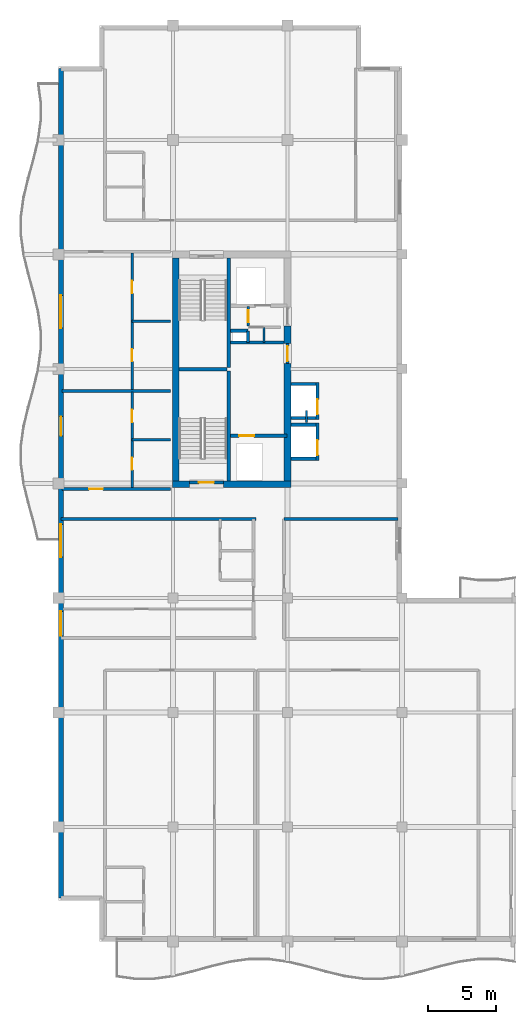
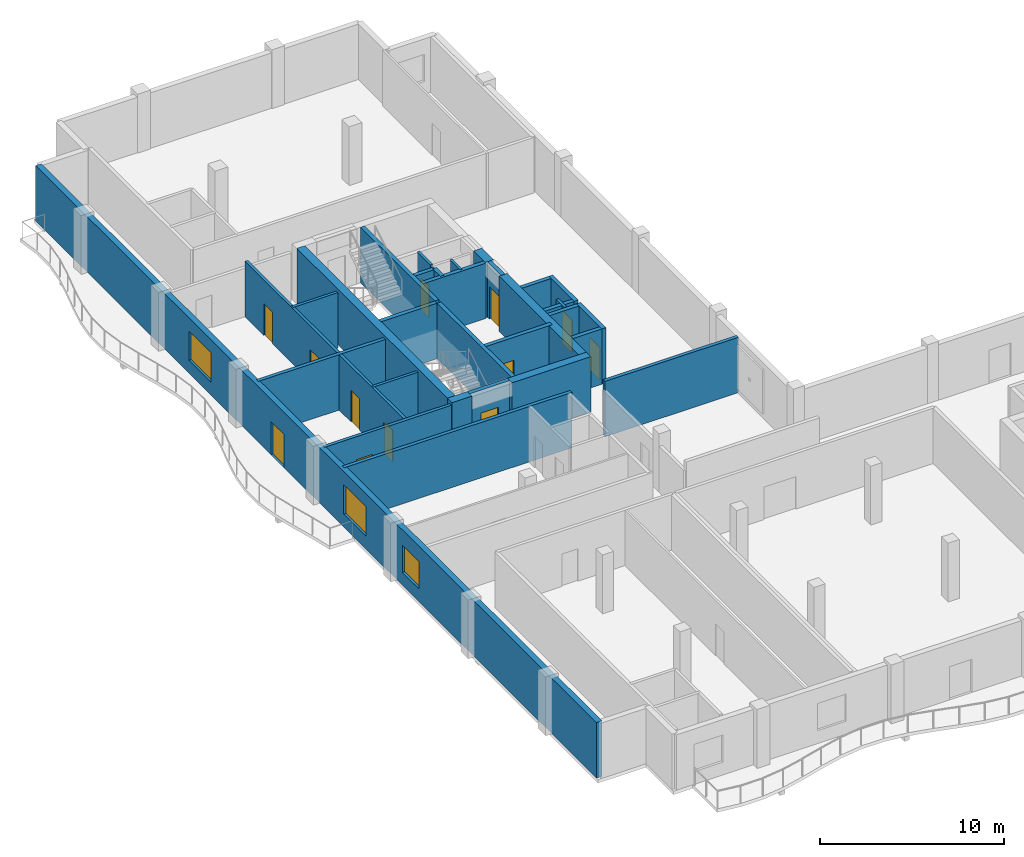
# One storey, part 6 of 11: 32 walls, 12 doors, 3 windows, 15 openings.
"""IFC4 building model written with IfcOpenShell, lengths in metres."""

from ifc_helpers import new_model, si_unit, direction, frame, frame_2d, origin, place, context, subcontext, project, spatial, rectangle, extrude, material, layer, layer_set, type_object, element, fill, save


model = new_model("IFC4")

# Units and contexts
model_context = context("Model", 3, precision=1e-05, world=origin(), true_north=direction((0.0, 1.0)))
body_context = subcontext(model_context, "Body", "Model", "MODEL_VIEW")
ifc_project = project(units=[si_unit("LENGTHUNIT", "METRE"), si_unit("AREAUNIT", "SQUARE_METRE"), si_unit("VOLUMEUNIT", "CUBIC_METRE"), si_unit("PLANEANGLEUNIT", "RADIAN"), si_unit("MASSUNIT", "GRAM", prefix="KILO")], contexts=[model_context])

# Site, building, storey
site_placement = place(None, origin())
site = spatial("IfcSite", under=ifc_project, at=site_placement, CompositionType="ELEMENT")
building_placement = place(site_placement, origin())
building = spatial("IfcBuilding", under=site, at=building_placement, Name="Koriwani Terraces Tower", CompositionType="ELEMENT")
storey_placement = place(building_placement, frame((0.0, 0.0, 335.89990234375)))
storey = spatial("IfcBuildingStorey", under=building, at=storey_placement, Name="L83", CompositionType="ELEMENT", Elevation=335.89990234375)

# Walls
ifc_material_1 = material(Name="Concrete C50/60", Category="concrete")
ifc_layer_1 = layer(ifc_material_1, 0.5, Name="Concrete C50/60")
ifc_layer_set_1 = layer_set([ifc_layer_1], Name="Concrete C50/60")
wall_type_1 = type_object("IfcWallType", Name="WALL_CORE_RC_500", PredefinedType="SHEAR", material=ifc_layer_set_1)
wall_1_placement = place(storey_placement, frame((16.75, 41.949951171875, 0.0), z_axis=(0.0, 0.0, 1.0), x_axis=(1.0, 0.0, 0.0)))
element("IfcWall", 1, at=wall_1_placement, inside=storey, type_object=wall_type_1, Name="L83 West Split Core Shear Wall S1", PredefinedType="SHEAR", context=body_context, shape_type="SweptSolid", body=[
    extrude(rectangle(XDim=1.25, YDim=0.5, at=frame_2d((0.625, 0.0))), origin(), (0.0, 0.0, 1.0), 3.670166015625),
])
wall_2_placement = place(storey_placement, frame((20.5, 41.949951171875, 0.0), z_axis=(0.0, 0.0, 1.0), x_axis=(1.0, 0.0, 0.0)))
element("IfcWall", 2, at=wall_2_placement, inside=storey, type_object=wall_type_1, Name="L83 West Split Core Shear Wall S2", PredefinedType="SHEAR", context=body_context, shape_type="SweptSolid", body=[
    extrude(rectangle(XDim=4.949951171875, YDim=0.5, at=frame_2d((2.47509765625, 0.0))), origin(), (0.0, 0.0, 1.0), 3.670166015625),
])
wall_3_placement = place(storey_placement, frame((17.0, 42.199951171875, 0.0), z_axis=(0.0, 0.0, 1.0), x_axis=(0.0, 1.0, 0.0)))
element("IfcWall", 3, at=wall_3_placement, inside=storey, type_object=wall_type_1, Name="L83 West Split Core Shear Wall W1", PredefinedType="SHEAR", context=body_context, shape_type="SweptSolid", body=[
    extrude(rectangle(XDim=16.35009765625, YDim=0.5, at=frame_2d((8.175048828125, 0.0))), origin(), (0.0, 0.0, 1.0), 3.670166015625),
])
wall_4_placement = place(storey_placement, frame((25.199951171875, 42.199951171875, 0.0), z_axis=(0.0, 0.0, 1.0), x_axis=(0.0, 1.0, 0.0)))
element("IfcWall", 4, at=wall_4_placement, inside=storey, type_object=wall_type_1, Name="L83 West Split Core Shear Wall E1", PredefinedType="SHEAR", context=body_context, shape_type="SweptSolid", body=[
    extrude(rectangle(XDim=8.60009765625, YDim=0.5, at=frame_2d((4.300048828125, 0.0))), origin(), (0.0, 0.0, 1.0), 3.670166015625),
])
wall_5_placement = place(storey_placement, frame((25.199951171875, 52.280029296875, 0.0), z_axis=(0.0, 0.0, 1.0), x_axis=(0.0, 1.0, 0.0)))
element("IfcWall", 5, at=wall_5_placement, inside=storey, type_object=wall_type_1, Name="L83 West Split Core Shear Wall E2", PredefinedType="SHEAR", context=body_context, shape_type="SweptSolid", body=[
    extrude(rectangle(XDim=1.27001953125, YDim=0.5, at=frame_2d((0.635009765625, 0.0))), origin(), (0.0, 0.0, 1.0), 3.670166015625),
])

# Wall, opening, door
ifc_material_2 = material(Name="Autoclaved Cellular Concrete Blockwork", Category="masonry")
ifc_layer_2 = layer(ifc_material_2, 0.199951171875, Name="Autoclaved Cellular Concrete Blockwork")
ifc_layer_set_2 = layer_set([ifc_layer_2], Name="Autoclaved Cellular Concrete Blockwork")
wall_type_2 = type_object("IfcWallType", Name="WALL_CORRIDOR_200", PredefinedType="PARTITIONING", material=ifc_layer_set_2)
wall_6_placement = place(storey_placement, frame((8.64990234375, 41.60009765625, 0.0), z_axis=(0.0, 0.0, 1.0), x_axis=(1.0, 0.0, 0.0)))
wall_6 = element("IfcWall", 6, at=wall_6_placement, inside=storey, type_object=wall_type_2, Name="L83 Interior Wall WRZ4-WS-L83", PredefinedType="PARTITIONING", context=body_context, shape_type="SweptSolid", body=[
    extrude(rectangle(XDim=7.9501953125, YDim=0.199951171875, at=frame_2d((3.97509765625, 0.0))), origin(), (0.0, 0.0, 1.0), 3.670166015625),
])
opening_1_placement = place(wall_6_placement, frame((2.0, 0.0, 0.0)))
opening_1 = element("IfcOpeningElement", 7, at=opening_1_placement, cuts=wall_6, Name="Opening D-05", PredefinedType="OPENING", context=body_context, shape_type="SweptSolid", body=[
    extrude(rectangle(XDim=1.0, YDim=2.14990234375, at=frame_2d((0.5, 1.074951171875))), frame((0.0, 0.10986328125, 0.0), z_axis=(0.0, -1.0, 0.0), x_axis=(1.0, 0.0, 0.0)), (0.0, 0.0, 1.0), 0.219970703125),
])
ifc_material_3 = material(Name="Architectural Oak Fire Door", Category="wood")
door_type_1 = type_object("IfcDoorType", Name="DOOR_SUITE_ENTRY_1000X2150", OperationType="NOTDEFINED", PredefinedType="DOOR", material=ifc_material_3)
door_1_placement = place(opening_1_placement, origin())
door_1 = element("IfcDoor", 8, at=door_1_placement, inside=storey, type_object=door_type_1, Name="Apartment 83RW1 Entrance Door", OperationType="SINGLE_SWING_RIGHT", OverallHeight=2.14990234375, OverallWidth=1.0, PredefinedType="DOOR", context=body_context, shape_type="SweptSolid", body=[
    extrude(rectangle(XDim=1.0, YDim=2.14990234375, at=frame_2d((0.5, 1.074951171875))), frame((0.0, 0.02490234375, 0.0), z_axis=(0.0, -1.0, 0.0), x_axis=(1.0, 0.0, 0.0)), (0.0, 0.0, 1.0), 0.050048828125),
])
fill(opening_1, door_1)

# Walls
ifc_layer_3 = layer(ifc_material_2, 0.219970703125, Name="Autoclaved Cellular Concrete Blockwork")
ifc_layer_set_3 = layer_set([ifc_layer_3], Name="Autoclaved Cellular Concrete Blockwork")
wall_type_3 = type_object("IfcWallType", Name="WALL_DEMISING_220", PredefinedType="PARTITIONING", material=ifc_layer_set_3)
wall_7_placement = place(storey_placement, frame((24.949951171875, 39.39990234375, 0.0), z_axis=(0.0, 0.0, 1.0), x_axis=(1.0, 0.0, 0.0)))
element("IfcWall", 9, at=wall_7_placement, inside=storey, type_object=wall_type_3, Name="L83 Interior Wall WIC4WN-L83", PredefinedType="PARTITIONING", context=body_context, shape_type="SweptSolid", body=[
    extrude(rectangle(XDim=8.35009765625, YDim=0.219970703125, at=frame_2d((4.175048828125, 0.0))), origin(), (0.0, 0.0, 1.0), 3.670166015625),
])
wall_8_placement = place(storey_placement, frame((8.64990234375, 48.800048828125, 0.0), z_axis=(0.0, 0.0, 1.0), x_axis=(1.0, 0.0, 0.0)))
element("IfcWall", 10, at=wall_8_placement, inside=storey, type_object=wall_type_3, Name="L83 Interior Wall WRZ4-WM-L83", PredefinedType="PARTITIONING", context=body_context, shape_type="SweptSolid", body=[
    extrude(rectangle(XDim=7.9501953125, YDim=0.219970703125, at=frame_2d((3.97509765625, 0.0))), origin(), (0.0, 0.0, 1.0), 3.670166015625),
])
wall_9_placement = place(storey_placement, frame((8.60009765625, 39.39990234375, 0.0), z_axis=(0.0, 0.0, 1.0), x_axis=(1.0, 0.0, 0.0)))
element("IfcWall", 11, at=wall_9_placement, inside=storey, type_object=wall_type_3, Name="L83 Interior Wall WRDEME-L83-NE", PredefinedType="PARTITIONING", context=body_context, shape_type="SweptSolid", body=[
    extrude(rectangle(XDim=14.27978515625, YDim=0.219970703125, at=frame_2d((7.139892578125, 0.0))), origin(), (0.0, 0.0, 1.0), 3.670166015625),
])

# Wall, openings, door, windows
ifc_layer_4 = layer(ifc_material_1, 0.35009765625, Name="Concrete C50/60")
ifc_layer_set_4 = layer_set([ifc_layer_4], Name="Concrete C50/60")
wall_type_4 = type_object("IfcWallType", Name="WALL_EXT_BRUTALIST_350", PredefinedType="STANDARD", material=ifc_layer_set_4)
wall_10_placement = place(storey_placement, frame((8.574951171875, 11.574951171875, 0.0), z_axis=(0.0, 0.0, 1.0), x_axis=(0.0, 1.0, 0.0)))
wall_10 = element("IfcWall", 12, at=wall_10_placement, inside=storey, type_object=wall_type_4, Name="L83 Fair-Faced Brutalist Exterior Wall (W)", PredefinedType="STANDARD", context=body_context, shape_type="SweptSolid", body=[
    extrude(rectangle(XDim=60.85009765625, YDim=0.35009765625, at=frame_2d((30.425048828125, 0.0))), origin(), (0.0, 0.0, 1.0), 3.670166015625),
])
opening_2_placement = place(wall_10_placement, frame((33.925048828125, 0.0, 0.0)))
opening_2 = element("IfcOpeningElement", 13, at=opening_2_placement, cuts=wall_10, Name="Opening D-09", PredefinedType="OPENING", context=body_context, shape_type="SweptSolid", body=[
    extrude(rectangle(XDim=1.39990234375, YDim=2.199951171875, at=frame_2d((0.699951171875, 1.10009765625))), frame((0.0, 0.18505859375, 0.0), z_axis=(0.0, -1.0, 0.0), x_axis=(1.0, 0.0, 0.0)), (0.0, 0.0, 1.0), 0.3701171875),
])
opening_3_placement = place(wall_10_placement, frame((25.02490234375, 0.0, 0.85009765625)))
opening_3 = element("IfcOpeningElement", 14, at=opening_3_placement, cuts=wall_10, Name="Opening W-03", PredefinedType="OPENING", context=body_context, shape_type="SweptSolid", body=[
    extrude(rectangle(XDim=2.39990234375, YDim=1.949951171875, at=frame_2d((1.199951171875, 0.97509765625))), frame((0.0, 0.18505859375, 0.0), z_axis=(0.0, -1.0, 0.0), x_axis=(1.0, 0.0, 0.0)), (0.0, 0.0, 1.0), 0.3701171875),
])
opening_4_placement = place(wall_10_placement, frame((41.824951171875, 0.0, 0.85009765625)))
opening_4 = element("IfcOpeningElement", 15, at=opening_4_placement, cuts=wall_10, Name="Opening W-03", PredefinedType="OPENING", context=body_context, shape_type="SweptSolid", body=[
    extrude(rectangle(XDim=2.39990234375, YDim=1.949951171875, at=frame_2d((1.199951171875, 0.97509765625))), frame((0.0, 0.18505859375, 0.0), z_axis=(0.0, -1.0, 0.0), x_axis=(1.0, 0.0, 0.0)), (0.0, 0.0, 1.0), 0.3701171875),
])
opening_5_placement = place(wall_10_placement, frame((19.25, 0.0, 0.85009765625)))
opening_5 = element("IfcOpeningElement", 16, at=opening_5_placement, cuts=wall_10, Name="Opening W-04", PredefinedType="OPENING", context=body_context, shape_type="SweptSolid", body=[
    extrude(rectangle(XDim=1.800048828125, YDim=1.800048828125, at=frame_2d((0.89990234375, 0.89990234375))), frame((0.0, 0.18505859375, 0.0), z_axis=(0.0, -1.0, 0.0), x_axis=(1.0, 0.0, 0.0)), (0.0, 0.0, 1.0), 0.3701171875),
])
ifc_material_4 = material(Name="Anodised Bronze Aluminium", Category="aluminium")
door_type_2 = type_object("IfcDoorType", Name="DOOR_BALCONY_GLAZED_1400X2200", OperationType="NOTDEFINED", PredefinedType="DOOR", material=ifc_material_4)
door_2_placement = place(opening_2_placement, origin())
door_2 = element("IfcDoor", 17, at=door_2_placement, inside=storey, type_object=door_type_2, Name="L83 West Balcony Glazed Door", OperationType="SINGLE_SWING_LEFT", OverallHeight=2.199951171875, OverallWidth=1.39990234375, PredefinedType="DOOR", context=body_context, shape_type="SweptSolid", body=[
    extrude(rectangle(XDim=1.39990234375, YDim=2.199951171875, at=frame_2d((0.699951171875, 1.10009765625))), frame((0.0, 0.02490234375, 0.0), z_axis=(0.0, -1.0, 0.0), x_axis=(1.0, 0.0, 0.0)), (0.0, 0.0, 1.0), 0.050048828125),
])
fill(opening_2, door_2)
ifc_material_5 = material(Name="Tempered Laminated Low-E Glass", Category="glass")
window_type_1 = type_object("IfcWindowType", Name="WIN_RES_BED_1800X1800", PartitioningType="DOUBLE_PANEL_VERTICAL", PredefinedType="WINDOW", material=ifc_material_5)
window_1_placement = place(opening_5_placement, origin())
window_1 = element("IfcWindow", 18, at=window_1_placement, inside=storey, type_object=window_type_1, Name="L83 Exterior Window (W-R38)", OverallHeight=1.800048828125, OverallWidth=1.800048828125, PartitioningType="SINGLE_PANEL", PredefinedType="WINDOW", context=body_context, shape_type="SweptSolid", body=[
    extrude(rectangle(XDim=1.800048828125, YDim=1.800048828125, at=frame_2d((0.89990234375, 0.89990234375))), frame((0.0, 0.030029296875, 0.0), z_axis=(0.0, -1.0, 0.0), x_axis=(1.0, 0.0, 0.0)), (0.0, 0.0, 1.0), 0.06005859375),
])
fill(opening_5, window_1)
window_type_2 = type_object("IfcWindowType", Name="WIN_RES_LIVING_2400X1950", PartitioningType="DOUBLE_PANEL_VERTICAL", PredefinedType="WINDOW", material=ifc_material_5)
window_2_placement = place(opening_3_placement, origin())
window_2 = element("IfcWindow", 19, at=window_2_placement, inside=storey, type_object=window_type_2, Name="L83 Exterior Window (W-9)", OverallHeight=1.949951171875, OverallWidth=2.39990234375, PartitioningType="SINGLE_PANEL", PredefinedType="WINDOW", context=body_context, shape_type="SweptSolid", body=[
    extrude(rectangle(XDim=2.39990234375, YDim=1.949951171875, at=frame_2d((1.199951171875, 0.97509765625))), frame((0.0, 0.030029296875, 0.0), z_axis=(0.0, -1.0, 0.0), x_axis=(1.0, 0.0, 0.0)), (0.0, 0.0, 1.0), 0.06005859375),
])
fill(opening_3, window_2)
window_3_placement = place(opening_4_placement, origin())
window_3 = element("IfcWindow", 20, at=window_3_placement, inside=storey, type_object=window_type_2, Name="L83 Exterior Window (W-15)", OverallHeight=1.949951171875, OverallWidth=2.39990234375, PartitioningType="SINGLE_PANEL", PredefinedType="WINDOW", context=body_context, shape_type="SweptSolid", body=[
    extrude(rectangle(XDim=2.39990234375, YDim=1.949951171875, at=frame_2d((1.199951171875, 0.97509765625))), frame((0.0, 0.030029296875, 0.0), z_axis=(0.0, -1.0, 0.0), x_axis=(1.0, 0.0, 0.0)), (0.0, 0.0, 1.0), 0.06005859375),
])
fill(opening_4, window_3)

# Wall, openings, doors
ifc_material_6 = material(Name="Fire-Rated Acoustic Gypsum Partition", Category="masonry")
ifc_layer_5 = layer(ifc_material_6, 0.179931640625, Name="Fire-Rated Acoustic Gypsum Partition")
ifc_layer_set_5 = layer_set([ifc_layer_5], Name="Fire-Rated Acoustic Gypsum Partition")
wall_type_5 = type_object("IfcWallType", Name="WALL_PLUMBING_180", PredefinedType="PLUMBINGWALL", material=ifc_layer_set_5)
wall_11_placement = place(storey_placement, frame((13.800048828125, 41.699951171875, 0.0), z_axis=(0.0, 0.0, 1.0), x_axis=(0.0, 1.0, 0.0)))
wall_11 = element("IfcWall", 21, at=wall_11_placement, inside=storey, type_object=wall_type_5, Name="L83 Interior Wall WRZ4-RW1-PB-L83", PredefinedType="PLUMBINGWALL", context=body_context, shape_type="SweptSolid", body=[
    extrude(rectangle(XDim=7.0, YDim=0.179931640625, at=frame_2d((3.5, 0.0))), origin(), (0.0, 0.0, 1.0), 3.670166015625),
])
opening_6_placement = place(wall_11_placement, frame((1.300048828125, 0.0, 0.0)))
opening_6 = element("IfcOpeningElement", 22, at=opening_6_placement, cuts=wall_11, Name="Opening D-07", PredefinedType="OPENING", context=body_context, shape_type="SweptSolid", body=[
    extrude(rectangle(XDim=0.89990234375, YDim=2.10009765625, at=frame_2d((0.449951171875, 1.050048828125))), frame((0.0, 0.10009765625, 0.0), z_axis=(0.0, -1.0, 0.0), x_axis=(1.0, 0.0, 0.0)), (0.0, 0.0, 1.0), 0.199951171875),
])
opening_7_placement = place(wall_11_placement, frame((4.7900390625, 0.0, 0.0)))
opening_7 = element("IfcOpeningElement", 23, at=opening_7_placement, cuts=wall_11, Name="Opening D-06", PredefinedType="OPENING", context=body_context, shape_type="SweptSolid", body=[
    extrude(rectangle(XDim=0.919921875, YDim=2.10009765625, at=frame_2d((0.4599609375, 1.050048828125))), frame((0.0, 0.10009765625, 0.0), z_axis=(0.0, -1.0, 0.0), x_axis=(1.0, 0.0, 0.0)), (0.0, 0.0, 1.0), 0.199951171875),
])
door_type_3 = type_object("IfcDoorType", Name="DOOR_BATH_INT_900X2100", OperationType="NOTDEFINED", PredefinedType="DOOR", material=ifc_material_3)
door_3_placement = place(opening_6_placement, origin())
door_3 = element("IfcDoor", 24, at=door_3_placement, inside=storey, type_object=door_type_3, Name="Apartment 83RW1 Bathroom Door", OperationType="SINGLE_SWING_RIGHT", OverallHeight=2.10009765625, OverallWidth=0.89990234375, PredefinedType="DOOR", context=body_context, shape_type="SweptSolid", body=[
    extrude(rectangle(XDim=0.89990234375, YDim=2.10009765625, at=frame_2d((0.449951171875, 1.050048828125))), frame((0.0, 0.02490234375, 0.0), z_axis=(0.0, -1.0, 0.0), x_axis=(1.0, 0.0, 0.0)), (0.0, 0.0, 1.0), 0.050048828125),
])
fill(opening_6, door_3)
door_type_4 = type_object("IfcDoorType", Name="DOOR_ROOM_INT_920X2100", OperationType="NOTDEFINED", PredefinedType="DOOR", material=ifc_material_3)
door_4_placement = place(opening_7_placement, origin())
door_4 = element("IfcDoor", 25, at=door_4_placement, inside=storey, type_object=door_type_4, Name="Apartment 83RW1 Kitchen Door", OperationType="SINGLE_SWING_LEFT", OverallHeight=2.10009765625, OverallWidth=0.919921875, PredefinedType="DOOR", context=body_context, shape_type="SweptSolid", body=[
    extrude(rectangle(XDim=0.919921875, YDim=2.10009765625, at=frame_2d((0.4599609375, 1.050048828125))), frame((0.0, 0.02490234375, 0.0), z_axis=(0.0, -1.0, 0.0), x_axis=(1.0, 0.0, 0.0)), (0.0, 0.0, 1.0), 0.050048828125),
])
fill(opening_7, door_4)

# Wall
wall_12_placement = place(storey_placement, frame((13.800048828125, 45.199951171875, 0.0), z_axis=(0.0, 0.0, 1.0), x_axis=(1.0, 0.0, 0.0)))
element("IfcWall", 26, at=wall_12_placement, inside=storey, type_object=wall_type_5, Name="L83 Interior Wall WRZ4-RW1-P2-L83", PredefinedType="PLUMBINGWALL", context=body_context, shape_type="SweptSolid", body=[
    extrude(rectangle(XDim=2.800048828125, YDim=0.179931640625, at=frame_2d((1.39990234375, 0.0))), origin(), (0.0, 0.0, 1.0), 3.670166015625),
])

# Wall, openings, doors
wall_13_placement = place(storey_placement, frame((13.800048828125, 48.89990234375, 0.0), z_axis=(0.0, 0.0, 1.0), x_axis=(0.0, 1.0, 0.0)))
wall_13 = element("IfcWall", 27, at=wall_13_placement, inside=storey, type_object=wall_type_5, Name="L83 Interior Wall WRZ4-RW2-PB-L83", PredefinedType="PLUMBINGWALL", context=body_context, shape_type="SweptSolid", body=[
    extrude(rectangle(XDim=10.0, YDim=0.179931640625, at=frame_2d((5.0, 0.0))), origin(), (0.0, 0.0, 1.0), 3.670166015625),
])
opening_8_placement = place(wall_13_placement, frame((2.050048828125, 0.0, 0.0)))
opening_8 = element("IfcOpeningElement", 28, at=opening_8_placement, cuts=wall_13, Name="Opening D-07", PredefinedType="OPENING", context=body_context, shape_type="SweptSolid", body=[
    extrude(rectangle(XDim=0.89990234375, YDim=2.10009765625, at=frame_2d((0.449951171875, 1.050048828125))), frame((0.0, 0.10009765625, 0.0), z_axis=(0.0, -1.0, 0.0), x_axis=(1.0, 0.0, 0.0)), (0.0, 0.0, 1.0), 0.199951171875),
])
opening_9_placement = place(wall_13_placement, frame((7.0400390625, 0.0, 0.0)))
opening_9 = element("IfcOpeningElement", 29, at=opening_9_placement, cuts=wall_13, Name="Opening D-06", PredefinedType="OPENING", context=body_context, shape_type="SweptSolid", body=[
    extrude(rectangle(XDim=0.919921875, YDim=2.10009765625, at=frame_2d((0.4599609375, 1.050048828125))), frame((0.0, 0.10009765625, 0.0), z_axis=(0.0, -1.0, 0.0), x_axis=(1.0, 0.0, 0.0)), (0.0, 0.0, 1.0), 0.199951171875),
])
door_5_placement = place(opening_8_placement, origin())
door_5 = element("IfcDoor", 30, at=door_5_placement, inside=storey, type_object=door_type_3, Name="Apartment 83RW2 Bathroom Door", OperationType="SINGLE_SWING_RIGHT", OverallHeight=2.10009765625, OverallWidth=0.89990234375, PredefinedType="DOOR", context=body_context, shape_type="SweptSolid", body=[
    extrude(rectangle(XDim=0.89990234375, YDim=2.10009765625, at=frame_2d((0.449951171875, 1.050048828125))), frame((0.0, 0.02490234375, 0.0), z_axis=(0.0, -1.0, 0.0), x_axis=(1.0, 0.0, 0.0)), (0.0, 0.0, 1.0), 0.050048828125),
])
fill(opening_8, door_5)
door_6_placement = place(opening_9_placement, origin())
door_6 = element("IfcDoor", 31, at=door_6_placement, inside=storey, type_object=door_type_4, Name="Apartment 83RW2 Kitchen Door", OperationType="SINGLE_SWING_LEFT", OverallHeight=2.10009765625, OverallWidth=0.919921875, PredefinedType="DOOR", context=body_context, shape_type="SweptSolid", body=[
    extrude(rectangle(XDim=0.919921875, YDim=2.10009765625, at=frame_2d((0.4599609375, 1.050048828125))), frame((0.0, 0.02490234375, 0.0), z_axis=(0.0, -1.0, 0.0), x_axis=(1.0, 0.0, 0.0)), (0.0, 0.0, 1.0), 0.050048828125),
])
fill(opening_9, door_6)

# Walls
wall_14_placement = place(storey_placement, frame((13.800048828125, 53.89990234375, 0.0), z_axis=(0.0, 0.0, 1.0), x_axis=(1.0, 0.0, 0.0)))
element("IfcWall", 32, at=wall_14_placement, inside=storey, type_object=wall_type_5, Name="L83 Interior Wall WRZ4-RW2-P2-L83", PredefinedType="PLUMBINGWALL", context=body_context, shape_type="SweptSolid", body=[
    extrude(rectangle(XDim=2.800048828125, YDim=0.179931640625, at=frame_2d((1.39990234375, 0.0))), origin(), (0.0, 0.0, 1.0), 3.670166015625),
])
ifc_material_7 = material(Name="Concrete C40/50", Category="concrete")
ifc_layer_6 = layer(ifc_material_7, 0.25, Name="Concrete C40/50")
ifc_layer_set_6 = layer_set([ifc_layer_6], Name="Concrete C40/50")
wall_type_6 = type_object("IfcWallType", Name="WALL_SHAFT_RATED_250", PredefinedType="SOLIDWALL", material=ifc_layer_set_6)
for number, where, z_axis, x_axis, name in (
    (33, (20.875, 42.199951171875, 0.0), (0.0, 0.0, 1.0), (0.0, 1.0, 0.0), "L83 West Split Core Web Wall MID1"),
    (34, (20.875, 50.5, 0.0), (0.0, 0.0, 1.0), (0.0, 1.0, 0.0), "L83 West Split Core Web Wall MID2"),
):
    element("IfcWall", number, at=place(storey_placement, frame(where, z_axis=z_axis, x_axis=x_axis)), inside=storey, type_object=wall_type_6, Name=name, PredefinedType="SOLIDWALL", context=body_context, shape_type="SweptSolid", body=[
        extrude(rectangle(XDim=8.050048828125, YDim=0.25, at=frame_2d((4.02490234375, 0.0))), origin(), (0.0, 0.0, 1.0), 3.670166015625),
    ])
wall_15_placement = place(storey_placement, frame((17.25, 50.375, 0.0), z_axis=(0.0, 0.0, 1.0), x_axis=(1.0, 0.0, 0.0)))
element("IfcWall", 35, at=wall_15_placement, inside=storey, type_object=wall_type_6, Name="L83 West Split Core Stair Dividing Wall", PredefinedType="SOLIDWALL", context=body_context, shape_type="SweptSolid", body=[
    extrude(rectangle(XDim=3.5, YDim=0.25, at=frame_2d((1.75, 0.0))), origin(), (0.0, 0.0, 1.0), 3.670166015625),
])

# Wall, opening, door
wall_16_placement = place(storey_placement, frame((18.0, 42.074951171875, 0.0), z_axis=(0.0, 0.0, 1.0), x_axis=(1.0, 0.0, 0.0)))
wall_16 = element("IfcWall", 36, at=wall_16_placement, inside=storey, type_object=wall_type_6, Name="L83 Interior Wall WIN-CW-L83-STS", PredefinedType="SOLIDWALL", context=body_context, shape_type="SweptSolid", body=[
    extrude(rectangle(XDim=2.5, YDim=0.25, at=frame_2d((1.25, 0.0))), origin(), (0.0, 0.0, 1.0), 3.670166015625),
])
opening_10_placement = place(wall_16_placement, frame((0.699951171875, 0.0, 0.0)))
opening_10 = element("IfcOpeningElement", 37, at=opening_10_placement, cuts=wall_16, Name="Opening D-03", PredefinedType="OPENING", context=body_context, shape_type="SweptSolid", body=[
    extrude(rectangle(XDim=1.10009765625, YDim=2.14990234375, at=frame_2d((0.550048828125, 1.074951171875))), frame((0.0, 0.135009765625, 0.0), z_axis=(0.0, -1.0, 0.0), x_axis=(1.0, 0.0, 0.0)), (0.0, 0.0, 1.0), 0.27001953125),
])
ifc_material_8 = material(Name="Steel ASTM A572 Grade 50", Category="steel")
door_type_5 = type_object("IfcDoorType", Name="DOOR_STAIR_FIRE_1100X2150", OperationType="NOTDEFINED", PredefinedType="DOOR", material=ifc_material_8)
door_7_placement = place(opening_10_placement, origin())
door_7 = element("IfcDoor", 38, at=door_7_placement, inside=storey, type_object=door_type_5, Name="L83 Exit Stair ST-W1 Door", OperationType="SINGLE_SWING_LEFT", OverallHeight=2.14990234375, OverallWidth=1.10009765625, PredefinedType="DOOR", context=body_context, shape_type="SweptSolid", body=[
    extrude(rectangle(XDim=1.10009765625, YDim=2.14990234375, at=frame_2d((0.550048828125, 1.074951171875))), frame((0.0, 0.02490234375, 0.0), z_axis=(0.0, -1.0, 0.0), x_axis=(1.0, 0.0, 0.0)), (0.0, 0.0, 1.0), 0.050048828125),
])
fill(opening_10, door_7)

wall_17_placement = place(storey_placement, frame((21.0, 45.5, 0.0), z_axis=(0.0, 0.0, 1.0), x_axis=(1.0, 0.0, 0.0)))
wall_17 = element("IfcWall", 39, at=wall_17_placement, inside=storey, type_object=wall_type_6, Name="L83 Interior Wall WIN-CW-L83-FE", PredefinedType="SOLIDWALL", context=body_context, shape_type="SweptSolid", body=[
    extrude(rectangle(XDim=4.14990234375, YDim=0.25, at=frame_2d((2.074951171875, 0.0))), origin(), (0.0, 0.0, 1.0), 3.670166015625),
])
opening_11_placement = place(wall_17_placement, frame((0.64990234375, 0.0, 0.0)))
opening_11 = element("IfcOpeningElement", 40, at=opening_11_placement, cuts=wall_17, Name="Opening LD-01", PredefinedType="OPENING", context=body_context, shape_type="SweptSolid", body=[
    extrude(rectangle(XDim=1.10009765625, YDim=2.14990234375, at=frame_2d((0.550048828125, 1.074951171875))), frame((0.0, 0.135009765625, 0.0), z_axis=(0.0, -1.0, 0.0), x_axis=(1.0, 0.0, 0.0)), (0.0, 0.0, 1.0), 0.27001953125),
])
door_type_6 = type_object("IfcDoorType", Name="DOOR_LIFT_LANDING_1100X2200", OperationType="NOTDEFINED", PredefinedType="DOOR", material=ifc_material_8)
door_8_placement = place(opening_11_placement, origin())
door_8 = element("IfcDoor", 41, at=door_8_placement, inside=storey, type_object=door_type_6, Name="L83 Firefighting Lift FE-01 Landing Door", OperationType="SLIDING_TO_LEFT", OverallHeight=2.14990234375, OverallWidth=1.10009765625, PredefinedType="DOOR", context=body_context, shape_type="SweptSolid", body=[
    extrude(rectangle(XDim=1.10009765625, YDim=2.14990234375, at=frame_2d((0.550048828125, 1.074951171875))), frame((0.0, 0.02490234375, 0.0), z_axis=(0.0, -1.0, 0.0), x_axis=(1.0, 0.0, 0.0)), (0.0, 0.0, 1.0), 0.050048828125),
])
fill(opening_11, door_8)

wall_18_placement = place(storey_placement, frame((25.199951171875, 50.800048828125, 0.0), z_axis=(0.0, 0.0, 1.0), x_axis=(0.0, 1.0, 0.0)))
wall_18 = element("IfcWall", 42, at=wall_18_placement, inside=storey, type_object=wall_type_6, Name="L83 Interior Wall WIN-CW-L83-EP", PredefinedType="SOLIDWALL", context=body_context, shape_type="SweptSolid", body=[
    extrude(rectangle(XDim=1.47998046875, YDim=0.25, at=frame_2d((0.739990234375, 0.0))), origin(), (0.0, 0.0, 1.0), 3.670166015625),
])
opening_12_placement = place(wall_18_placement, frame((0.179931640625, 0.0, 0.0)))
opening_12 = element("IfcOpeningElement", 43, at=opening_12_placement, cuts=wall_18, Name="Opening D-03", PredefinedType="OPENING", context=body_context, shape_type="SweptSolid", body=[
    extrude(rectangle(XDim=1.10009765625, YDim=2.14990234375, at=frame_2d((0.550048828125, 1.074951171875))), frame((0.0, 0.135009765625, 0.0), z_axis=(0.0, -1.0, 0.0), x_axis=(1.0, 0.0, 0.0)), (0.0, 0.0, 1.0), 0.27001953125),
])
door_9_placement = place(opening_12_placement, origin())
door_9 = element("IfcDoor", 44, at=door_9_placement, inside=storey, type_object=door_type_5, Name="L83 West Firefighting Lobby Door", OperationType="SINGLE_SWING_LEFT", OverallHeight=2.14990234375, OverallWidth=1.10009765625, PredefinedType="DOOR", context=body_context, shape_type="SweptSolid", body=[
    extrude(rectangle(XDim=1.10009765625, YDim=2.14990234375, at=frame_2d((0.550048828125, 1.074951171875))), frame((0.0, 0.02490234375, 0.0), z_axis=(0.0, -1.0, 0.0), x_axis=(1.0, 0.0, 0.0)), (0.0, 0.0, 1.0), 0.050048828125),
])
fill(opening_12, door_9)

# Walls
wall_19_placement = place(storey_placement, frame((21.0, 52.340087890625, 0.0), z_axis=(0.0, 0.0, 1.0), x_axis=(1.0, 0.0, 0.0)))
element("IfcWall", 45, at=wall_19_placement, inside=storey, type_object=wall_type_6, Name="L83 Interior Wall WIN-CW-L83-FFN", PredefinedType="SOLIDWALL", context=body_context, shape_type="SweptSolid", body=[
    extrude(rectangle(XDim=3.949951171875, YDim=0.25, at=frame_2d((1.97509765625, 0.0))), origin(), (0.0, 0.0, 1.0), 3.670166015625),
])
wall_20_placement = place(storey_placement, frame((21.0, 53.199951171875, 0.0), z_axis=(0.0, 0.0, 1.0), x_axis=(1.0, 0.0, 0.0)))
element("IfcWall", 46, at=wall_20_placement, inside=storey, type_object=wall_type_6, Name="L83 Interior Wall WIN-CW-L83-RS1", PredefinedType="SOLIDWALL", context=body_context, shape_type="SweptSolid", body=[
    extrude(rectangle(XDim=1.300048828125, YDim=0.25, at=frame_2d((0.64990234375, 0.0))), origin(), (0.0, 0.0, 1.0), 3.670166015625),
])
wall_21_placement = place(storey_placement, frame((22.300048828125, 52.360107421875, 0.0), z_axis=(0.0, 0.0, 1.0), x_axis=(0.0, 1.0, 0.0)))
element("IfcWall", 47, at=wall_21_placement, inside=storey, type_object=wall_type_6, Name="L83 Interior Wall WIN-CW-L83-RS2", PredefinedType="SOLIDWALL", context=body_context, shape_type="SweptSolid", body=[
    extrude(rectangle(XDim=0.83984375, YDim=0.25, at=frame_2d((0.419921875, 0.0))), origin(), (0.0, 0.0, 1.0), 3.670166015625),
])

# Wall, opening, door
wall_22_placement = place(storey_placement, frame((27.39990234375, 43.675048828125, 0.0), z_axis=(0.0, 0.0, 1.0), x_axis=(0.0, 1.0, 0.0)))
wall_22 = element("IfcWall", 48, at=wall_22_placement, inside=storey, type_object=wall_type_6, Name="L83 Interior Wall WIN-LF-PE-H1-L83-F", PredefinedType="SOLIDWALL", context=body_context, shape_type="SweptSolid", body=[
    extrude(rectangle(XDim=2.75, YDim=0.25, at=frame_2d((1.375, 0.0))), origin(), (0.0, 0.0, 1.0), 3.670166015625),
])
opening_13_placement = place(wall_22_placement, frame((0.39990234375, 0.0, 0.0)))
opening_13 = element("IfcOpeningElement", 49, at=opening_13_placement, cuts=wall_22, Name="Opening LD-01", PredefinedType="OPENING", context=body_context, shape_type="SweptSolid", body=[
    extrude(rectangle(XDim=1.10009765625, YDim=2.14990234375, at=frame_2d((0.550048828125, 1.074951171875))), frame((0.0, 0.135009765625, 0.0), z_axis=(0.0, -1.0, 0.0), x_axis=(1.0, 0.0, 0.0)), (0.0, 0.0, 1.0), 0.27001953125),
])
door_10_placement = place(opening_13_placement, origin())
door_10 = element("IfcDoor", 50, at=door_10_placement, inside=storey, type_object=door_type_6, Name="L83 Passenger Lift PE-H1 Landing Door", OperationType="SLIDING_TO_LEFT", OverallHeight=2.14990234375, OverallWidth=1.10009765625, PredefinedType="DOOR", context=body_context, shape_type="SweptSolid", body=[
    extrude(rectangle(XDim=1.10009765625, YDim=2.14990234375, at=frame_2d((0.550048828125, 1.074951171875))), frame((0.0, 0.02490234375, 0.0), z_axis=(0.0, -1.0, 0.0), x_axis=(1.0, 0.0, 0.0)), (0.0, 0.0, 1.0), 0.050048828125),
])
fill(opening_13, door_10)

# Walls
for number, where, z_axis, x_axis, name in (
    (51, (25.449951171875, 43.800048828125, 0.0), (0.0, 0.0, 1.0), (1.0, 0.0, 0.0), "L83 Interior Wall WIN-LF-PE-H1-L83-S"),
    (52, (25.449951171875, 46.300048828125, 0.0), (0.0, 0.0, 1.0), (1.0, 0.0, 0.0), "L83 Interior Wall WIN-LF-PE-H1-L83-N"),
):
    element("IfcWall", number, at=place(storey_placement, frame(where, z_axis=z_axis, x_axis=x_axis)), inside=storey, type_object=wall_type_6, Name=name, PredefinedType="SOLIDWALL", context=body_context, shape_type="SweptSolid", body=[
        extrude(rectangle(XDim=1.824951171875, YDim=0.25, at=frame_2d((0.91259765625, 0.0))), origin(), (0.0, 0.0, 1.0), 3.670166015625),
    ])

# Wall, opening, door
wall_23_placement = place(storey_placement, frame((27.39990234375, 46.675048828125, 0.0), z_axis=(0.0, 0.0, 1.0), x_axis=(0.0, 1.0, 0.0)))
wall_23 = element("IfcWall", 53, at=wall_23_placement, inside=storey, type_object=wall_type_6, Name="L83 Interior Wall WIN-LF-PE-H2-L83-F", PredefinedType="SOLIDWALL", context=body_context, shape_type="SweptSolid", body=[
    extrude(rectangle(XDim=2.75, YDim=0.25, at=frame_2d((1.375, 0.0))), origin(), (0.0, 0.0, 1.0), 3.670166015625),
])
opening_14_placement = place(wall_23_placement, frame((0.39990234375, 0.0, 0.0)))
opening_14 = element("IfcOpeningElement", 54, at=opening_14_placement, cuts=wall_23, Name="Opening LD-01", PredefinedType="OPENING", context=body_context, shape_type="SweptSolid", body=[
    extrude(rectangle(XDim=1.10009765625, YDim=2.14990234375, at=frame_2d((0.550048828125, 1.074951171875))), frame((0.0, 0.135009765625, 0.0), z_axis=(0.0, -1.0, 0.0), x_axis=(1.0, 0.0, 0.0)), (0.0, 0.0, 1.0), 0.27001953125),
])
door_11_placement = place(opening_14_placement, origin())
door_11 = element("IfcDoor", 55, at=door_11_placement, inside=storey, type_object=door_type_6, Name="L83 Passenger Lift PE-H2 Landing Door", OperationType="SLIDING_TO_LEFT", OverallHeight=2.14990234375, OverallWidth=1.10009765625, PredefinedType="DOOR", context=body_context, shape_type="SweptSolid", body=[
    extrude(rectangle(XDim=1.10009765625, YDim=2.14990234375, at=frame_2d((0.550048828125, 1.074951171875))), frame((0.0, 0.02490234375, 0.0), z_axis=(0.0, -1.0, 0.0), x_axis=(1.0, 0.0, 0.0)), (0.0, 0.0, 1.0), 0.050048828125),
])
fill(opening_14, door_11)

# Walls
for number, where, z_axis, x_axis, name in (
    (56, (25.449951171875, 46.800048828125, 0.0), (0.0, 0.0, 1.0), (1.0, 0.0, 0.0), "L83 Interior Wall WIN-LF-PE-H2-L83-S"),
    (57, (25.449951171875, 49.300048828125, 0.0), (0.0, 0.0, 1.0), (1.0, 0.0, 0.0), "L83 Interior Wall WIN-LF-PE-H2-L83-N"),
):
    element("IfcWall", number, at=place(storey_placement, frame(where, z_axis=z_axis, x_axis=x_axis)), inside=storey, type_object=wall_type_6, Name=name, PredefinedType="SOLIDWALL", context=body_context, shape_type="SweptSolid", body=[
        extrude(rectangle(XDim=1.824951171875, YDim=0.25, at=frame_2d((0.91259765625, 0.0))), origin(), (0.0, 0.0, 1.0), 3.670166015625),
    ])

# Wall, opening, door
ifc_layer_7 = layer(ifc_material_6, 0.159912109375, Name="Fire-Rated Acoustic Gypsum Partition")
ifc_layer_set_7 = layer_set([ifc_layer_7], Name="Fire-Rated Acoustic Gypsum Partition")
wall_type_7 = type_object("IfcWallType", Name="WALL_SUITE_160", PredefinedType="PARTITIONING", material=ifc_layer_set_7)
wall_24_placement = place(storey_placement, frame((22.320068359375, 53.56005859375, 0.0), z_axis=(0.0, 0.0, 1.0), x_axis=(0.0, 1.0, 0.0)))
wall_24 = element("IfcWall", 58, at=wall_24_placement, inside=storey, type_object=wall_type_7, Name="L83 Interior Wall WIN-CW-L83-SV2A", PredefinedType="PARTITIONING", context=body_context, shape_type="SweptSolid", body=[
    extrude(rectangle(XDim=1.43994140625, YDim=0.159912109375, at=frame_2d((0.719970703125, 0.0))), origin(), (0.0, 0.0, 1.0), 3.670166015625),
])
opening_15_placement = place(wall_24_placement, frame((0.260009765625, 0.0, 0.0)))
opening_15 = element("IfcOpeningElement", 59, at=opening_15_placement, cuts=wall_24, Name="Opening D-07", PredefinedType="OPENING", context=body_context, shape_type="SweptSolid", body=[
    extrude(rectangle(XDim=0.89990234375, YDim=2.10009765625, at=frame_2d((0.449951171875, 1.050048828125))), frame((0.0, 0.08984375, 0.0), z_axis=(0.0, -1.0, 0.0), x_axis=(1.0, 0.0, 0.0)), (0.0, 0.0, 1.0), 0.179931640625),
])
door_12_placement = place(opening_15_placement, origin())
door_12 = element("IfcDoor", 60, at=door_12_placement, inside=storey, type_object=door_type_3, Name="L83 West Meter Room Door", OperationType="SINGLE_SWING_LEFT", OverallHeight=2.10009765625, OverallWidth=0.89990234375, PredefinedType="DOOR", context=body_context, shape_type="SweptSolid", body=[
    extrude(rectangle(XDim=0.89990234375, YDim=2.10009765625, at=frame_2d((0.449951171875, 1.050048828125))), frame((0.0, 0.02490234375, 0.0), z_axis=(0.0, -1.0, 0.0), x_axis=(1.0, 0.0, 0.0)), (0.0, 0.0, 1.0), 0.050048828125),
])
fill(opening_15, door_12)

# Walls
wall_25_placement = place(storey_placement, frame((23.47998046875, 52.360107421875, 0.0), z_axis=(0.0, 0.0, 1.0), x_axis=(0.0, 1.0, 0.0)))
element("IfcWall", 61, at=wall_25_placement, inside=storey, type_object=wall_type_7, Name="L83 Interior Wall WIN-CW-L83-SV2V", PredefinedType="PARTITIONING", context=body_context, shape_type="SweptSolid", body=[
    extrude(rectangle(XDim=1.099853515625, YDim=0.159912109375, at=frame_2d((0.5498046875, 0.0))), origin(), (0.0, 0.0, 1.0), 3.670166015625),
])
wall_26_placement = place(storey_placement, frame((26.60009765625, 46.4599609375, 0.0), z_axis=(0.0, 0.0, 1.0), x_axis=(0.0, 1.0, 0.0)))
element("IfcWall", 62, at=wall_26_placement, inside=storey, type_object=wall_type_7, Name="L83 Interior Wall WIN-LF-PEH12-MID-L83", PredefinedType="PARTITIONING", context=body_context, shape_type="SweptSolid", body=[
    extrude(rectangle(XDim=0.880126953125, YDim=0.159912109375, at=frame_2d((0.43994140625, 0.0))), origin(), (0.0, 0.0, 1.0), 3.670166015625),
])

save(model, "model.ifc")
